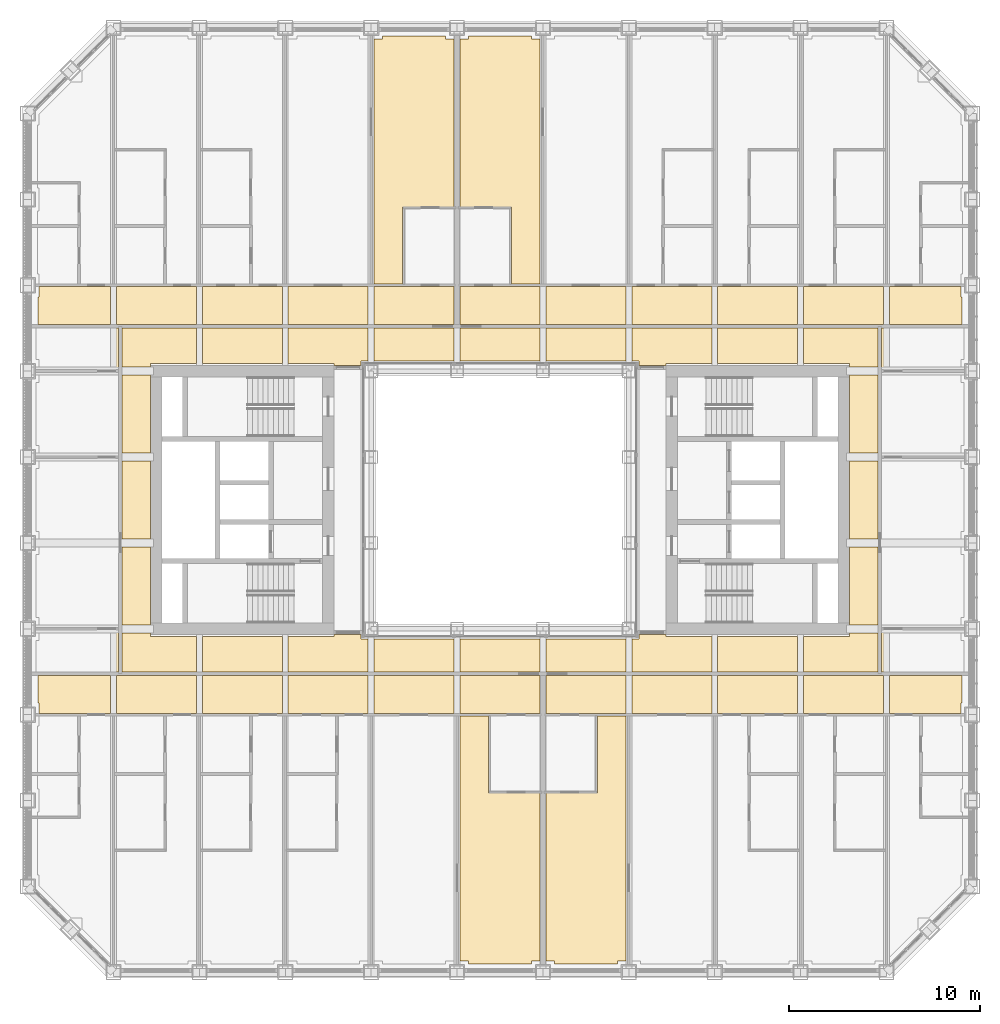
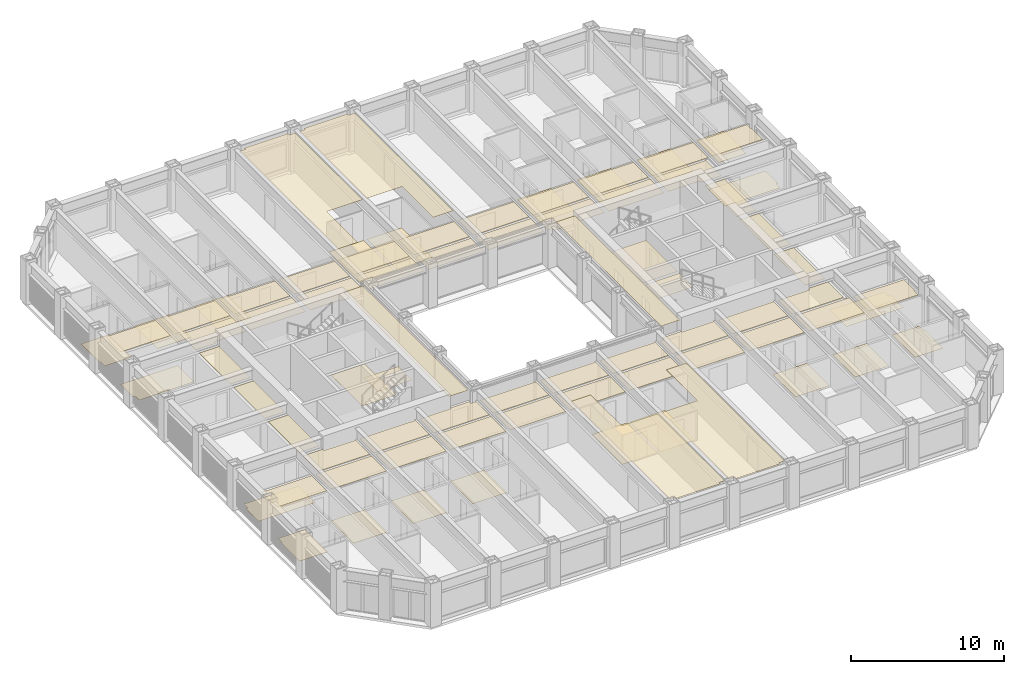
# One storey, part 19 of 21: 4 coverings.
"""IFC4 building model written with IfcOpenShell, lengths in metres."""

from ifc_helpers import new_model, si_unit, direction, frame, origin, place, context, subcontext, project, spatial, line, indexed_curve, outline, extrude, material, layer, layer_set, type_object, element, save


model = new_model("IFC4")

# Units and contexts
model_context = context("Model", 3, precision=1e-05, world=origin(), true_north=direction((0.0, 1.0)))
body_context = subcontext(model_context, "Body", "Model", "MODEL_VIEW")
ifc_project = project(units=[si_unit("LENGTHUNIT", "METRE"), si_unit("AREAUNIT", "SQUARE_METRE"), si_unit("VOLUMEUNIT", "CUBIC_METRE"), si_unit("PLANEANGLEUNIT", "RADIAN"), si_unit("MASSUNIT", "GRAM", prefix="KILO")], contexts=[model_context])

# Site, building, storey
site_placement = place(None, origin())
site = spatial("IfcSite", under=ifc_project, at=site_placement, CompositionType="ELEMENT")
building_placement = place(site_placement, origin())
building = spatial("IfcBuilding", under=site, at=building_placement, Name="Msasa Ring Tower", CompositionType="ELEMENT")
storey_placement = place(building_placement, frame((0.0, 0.0, 79.0)))
storey = spatial("IfcBuildingStorey", under=building, at=storey_placement, Name="L20", CompositionType="ELEMENT", Elevation=79.0)

# Coverings
ifc_material_1 = material(Name="Gypsum plasterboard on a steel suspension grid", Category="steel")
ifc_layer_1 = layer(ifc_material_1, 0.014892578125)
ifc_layer_set_1 = layer_set([ifc_layer_1], Name="C1 SUSPENDED PLASTERBOARD CEILING 15")
covering_type_1 = type_object("IfcCoveringType", Name="C1 SUSPENDED PLASTERBOARD CEILING 15", PredefinedType="CEILING", material=ifc_layer_set_1)
covering_1_placement = place(storey_placement, frame((0.0, 0.0, 2.39990234375)))
element("IfcCovering", 1, at=covering_1_placement, inside=storey, type_object=covering_type_1, Name="Suspended Plasterboard Ceiling 15 circulation L20", PredefinedType="CEILING", context=body_context, shape_type="SweptSolid", body=[
    extrude(outline(indexed_curve([(-24.1494140625, -11.18701171875), (-24.1494140625, -10.6494140625), (-24.199462890625, -10.6494140625), (-24.199462890625, -9.200439453125), (-20.404296875, -9.200439453125), (-20.404296875, -11.18701171875)], segments=[line(1, 2, 3, 4, 5, 6, 1)], self_intersect=False)), origin(), (0.0, 0.0, 1.0), 0.01513671875),
    extrude(outline(indexed_curve([(-24.199462890625, 9.200439453125), (-24.199462890625, 10.6494140625), (-24.1494140625, 10.6494140625), (-24.1494140625, 11.18701171875), (-20.404296875, 11.18701171875), (-20.404296875, 9.200439453125)], segments=[line(1, 2, 3, 4, 5, 6, 1)], self_intersect=False)), origin(), (0.0, 0.0, 1.0), 0.01513671875),
    extrude(outline(indexed_curve([(-20.095703125, -11.18701171875), (-20.095703125, -9.200439453125), (-15.904296875, -9.200439453125), (-15.904296875, -11.18701171875)], segments=[line(1, 2, 3, 4, 1)], self_intersect=False)), origin(), (0.0, 0.0, 1.0), 0.01513671875),
    extrude(outline(indexed_curve([(-20.095703125, 9.200439453125), (-20.095703125, 11.18701171875), (-15.904296875, 11.18701171875), (-15.904296875, 9.200439453125)], segments=[line(1, 2, 3, 4, 1)], self_intersect=False)), origin(), (0.0, 0.0, 1.0), 0.01513671875),
    extrude(outline(indexed_curve([(-19.799560546875, -8.99951171875), (-19.799560546875, -6.960693359375), (-18.300537109375, -6.960693359375), (-18.300537109375, -7.150390625), (-15.904296875, -7.150390625), (-15.904296875, -8.99951171875)], segments=[line(1, 2, 3, 4, 5, 6, 1)], self_intersect=False)), origin(), (0.0, 0.0, 1.0), 0.01513671875),
    extrude(outline(indexed_curve([(-19.799560546875, -2.460693359375), (-18.300537109375, -2.460693359375), (-18.300537109375, -6.539306640625), (-19.799560546875, -6.539306640625)], segments=[line(1, 2, 3, 4, 1)], self_intersect=False)), origin(), (0.0, 0.0, 1.0), 0.01513671875),
    extrude(outline(indexed_curve([(-19.799560546875, 2.039306640625), (-18.300537109375, 2.039306640625), (-18.300537109375, -2.039306640625), (-19.799560546875, -2.039306640625)], segments=[line(1, 2, 3, 4, 1)], self_intersect=False)), origin(), (0.0, 0.0, 1.0), 0.01513671875),
    extrude(outline(indexed_curve([(-19.799560546875, 6.539306640625), (-18.300537109375, 6.539306640625), (-18.300537109375, 2.460693359375), (-19.799560546875, 2.460693359375)], segments=[line(1, 2, 3, 4, 1)], self_intersect=False)), origin(), (0.0, 0.0, 1.0), 0.01513671875),
    extrude(outline(indexed_curve([(-19.799560546875, 8.99951171875), (-15.904296875, 8.99951171875), (-15.904296875, 7.150390625), (-18.300537109375, 7.150390625), (-18.300537109375, 6.960693359375), (-19.799560546875, 6.960693359375)], segments=[line(1, 2, 3, 4, 5, 6, 1)], self_intersect=False)), origin(), (0.0, 0.0, 1.0), 0.01513671875),
    extrude(outline(indexed_curve([(-15.595703125, -11.18701171875), (-15.595703125, -9.200439453125), (-11.404296875, -9.200439453125), (-11.404296875, -11.18701171875)], segments=[line(1, 2, 3, 4, 1)], self_intersect=False)), origin(), (0.0, 0.0, 1.0), 0.01513671875),
    extrude(outline(indexed_curve([(-15.595703125, -8.99951171875), (-15.595703125, -7.150390625), (-11.404296875, -7.150390625), (-11.404296875, -8.99951171875)], segments=[line(1, 2, 3, 4, 1)], self_intersect=False)), origin(), (0.0, 0.0, 1.0), 0.01513671875),
    extrude(outline(indexed_curve([(-11.404296875, 8.99951171875), (-11.404296875, 7.150390625), (-15.595703125, 7.150390625), (-15.595703125, 8.99951171875)], segments=[line(1, 2, 3, 4, 1)], self_intersect=False)), origin(), (0.0, 0.0, 1.0), 0.01513671875),
    extrude(outline(indexed_curve([(-15.595703125, 9.200439453125), (-15.595703125, 11.18701171875), (-11.404296875, 11.18701171875), (-11.404296875, 9.200439453125)], segments=[line(1, 2, 3, 4, 1)], self_intersect=False)), origin(), (0.0, 0.0, 1.0), 0.01513671875),
    extrude(outline(indexed_curve([(-11.87451171875, -3.074462890625), (-11.87451171875, -1.275390625), (-9.300537109375, -1.275390625), (-9.300537109375, -3.074462890625)], segments=[line(1, 2, 3, 4, 1)], self_intersect=False)), origin(), (0.0, 0.0, 1.0), 0.01513671875),
    extrude(outline(indexed_curve([(-11.095703125, -11.18701171875), (-11.095703125, -9.200439453125), (-6.904296875, -9.200439453125), (-6.904296875, -11.18701171875)], segments=[line(1, 2, 3, 4, 1)], self_intersect=False)), origin(), (0.0, 0.0, 1.0), 0.01513671875),
    extrude(outline(indexed_curve([(-11.095703125, -8.99951171875), (-11.095703125, -7.150390625), (-8.699462890625, -7.150390625), (-8.699462890625, -7.050537109375), (-7.280029296875, -7.050537109375), (-7.275390625, -7.275390625), (-6.904296875, -7.280029296875), (-6.904296875, -8.99951171875)], segments=[line(1, 2, 3, 4, 5, 6, 7, 8, 1)], self_intersect=False)), origin(), (0.0, 0.0, 1.0), 0.01513671875),
    extrude(outline(indexed_curve([(-6.904296875, 8.99951171875), (-6.904296875, 7.280029296875), (-7.275390625, 7.275390625), (-7.280029296875, 7.050537109375), (-8.699462890625, 7.050537109375), (-8.699462890625, 7.150390625), (-11.095703125, 7.150390625), (-11.095703125, 8.99951171875)], segments=[line(1, 2, 3, 4, 5, 6, 7, 8, 1)], self_intersect=False)), origin(), (0.0, 0.0, 1.0), 0.01513671875),
    extrude(outline(indexed_curve([(-11.095703125, 9.200439453125), (-11.095703125, 11.18701171875), (-6.904296875, 11.18701171875), (-6.904296875, 9.200439453125)], segments=[line(1, 2, 3, 4, 1)], self_intersect=False)), origin(), (0.0, 0.0, 1.0), 0.01513671875),
    extrude(outline(indexed_curve([(-6.595703125, -11.18701171875), (-6.595703125, -9.200439453125), (-2.404296875, -9.200439453125), (-2.404296875, -11.18701171875)], segments=[line(1, 2, 3, 4, 1)], self_intersect=False)), origin(), (0.0, 0.0, 1.0), 0.01513671875),
    extrude(outline(indexed_curve([(-6.595703125, -8.99951171875), (-6.595703125, -7.280029296875), (-2.404296875, -7.280029296875), (-2.404296875, -8.99951171875)], segments=[line(1, 2, 3, 4, 1)], self_intersect=False)), origin(), (0.0, 0.0, 1.0), 0.01513671875),
    extrude(outline(indexed_curve([(-2.404296875, 8.99951171875), (-2.404296875, 7.280029296875), (-6.595703125, 7.280029296875), (-6.595703125, 8.99951171875)], segments=[line(1, 2, 3, 4, 1)], self_intersect=False)), origin(), (0.0, 0.0, 1.0), 0.01513671875),
    extrude(outline(indexed_curve([(-6.595703125, 9.200439453125), (-6.595703125, 11.18701171875), (-2.404296875, 11.18701171875), (-2.404296875, 9.200439453125)], segments=[line(1, 2, 3, 4, 1)], self_intersect=False)), origin(), (0.0, 0.0, 1.0), 0.01513671875),
    extrude(outline(indexed_curve([(-2.095703125, -11.18701171875), (-2.095703125, -9.200439453125), (2.095703125, -9.200439453125), (2.095703125, -11.18701171875)], segments=[line(1, 2, 3, 4, 1)], self_intersect=False)), origin(), (0.0, 0.0, 1.0), 0.01513671875),
    extrude(outline(indexed_curve([(-2.095703125, -8.99951171875), (-2.095703125, -7.280029296875), (2.095703125, -7.280029296875), (2.095703125, -8.99951171875)], segments=[line(1, 2, 3, 4, 1)], self_intersect=False)), origin(), (0.0, 0.0, 1.0), 0.01513671875),
    extrude(outline(indexed_curve([(2.095703125, 8.99951171875), (2.095703125, 7.280029296875), (-2.095703125, 7.280029296875), (-2.095703125, 8.99951171875)], segments=[line(1, 2, 3, 4, 1)], self_intersect=False)), origin(), (0.0, 0.0, 1.0), 0.01513671875),
    extrude(outline(indexed_curve([(-2.095703125, 9.200439453125), (-2.095703125, 11.18701171875), (2.095703125, 11.18701171875), (2.095703125, 9.200439453125)], segments=[line(1, 2, 3, 4, 1)], self_intersect=False)), origin(), (0.0, 0.0, 1.0), 0.01513671875),
    extrude(outline(indexed_curve([(2.404296875, -11.18701171875), (2.404296875, -9.200439453125), (6.595703125, -9.200439453125), (6.595703125, -11.18701171875)], segments=[line(1, 2, 3, 4, 1)], self_intersect=False)), origin(), (0.0, 0.0, 1.0), 0.01513671875),
    extrude(outline(indexed_curve([(2.404296875, -8.99951171875), (2.404296875, -7.280029296875), (6.595703125, -7.280029296875), (6.595703125, -8.99951171875)], segments=[line(1, 2, 3, 4, 1)], self_intersect=False)), origin(), (0.0, 0.0, 1.0), 0.01513671875),
    extrude(outline(indexed_curve([(6.595703125, 8.99951171875), (6.595703125, 7.280029296875), (2.404296875, 7.280029296875), (2.404296875, 8.99951171875)], segments=[line(1, 2, 3, 4, 1)], self_intersect=False)), origin(), (0.0, 0.0, 1.0), 0.01513671875),
    extrude(outline(indexed_curve([(2.404296875, 9.200439453125), (2.404296875, 11.18701171875), (6.595703125, 11.18701171875), (6.595703125, 9.200439453125)], segments=[line(1, 2, 3, 4, 1)], self_intersect=False)), origin(), (0.0, 0.0, 1.0), 0.01513671875),
    extrude(outline(indexed_curve([(6.904296875, -11.18701171875), (6.904296875, -9.200439453125), (11.095703125, -9.200439453125), (11.095703125, -11.18701171875)], segments=[line(1, 2, 3, 4, 1)], self_intersect=False)), origin(), (0.0, 0.0, 1.0), 0.01513671875),
    extrude(outline(indexed_curve([(6.904296875, -8.99951171875), (6.904296875, -7.280029296875), (7.275390625, -7.275390625), (7.280029296875, -7.050537109375), (8.699462890625, -7.050537109375), (8.699462890625, -7.150390625), (11.095703125, -7.150390625), (11.095703125, -8.99951171875)], segments=[line(1, 2, 3, 4, 5, 6, 7, 8, 1)], self_intersect=False)), origin(), (0.0, 0.0, 1.0), 0.01513671875),
    extrude(outline(indexed_curve([(11.095703125, 8.99951171875), (11.095703125, 7.150390625), (8.699462890625, 7.150390625), (8.699462890625, 7.050537109375), (7.280029296875, 7.050537109375), (7.275390625, 7.275390625), (6.904296875, 7.280029296875), (6.904296875, 8.99951171875)], segments=[line(1, 2, 3, 4, 5, 6, 7, 8, 1)], self_intersect=False)), origin(), (0.0, 0.0, 1.0), 0.01513671875),
    extrude(outline(indexed_curve([(6.904296875, 9.200439453125), (6.904296875, 11.18701171875), (11.095703125, 11.18701171875), (11.095703125, 9.200439453125)], segments=[line(1, 2, 3, 4, 1)], self_intersect=False)), origin(), (0.0, 0.0, 1.0), 0.01513671875),
    extrude(outline(indexed_curve([(9.300537109375, -3.074462890625), (9.300537109375, -1.275390625), (11.87451171875, -1.275390625), (11.87451171875, -3.074462890625)], segments=[line(1, 2, 3, 4, 1)], self_intersect=False)), origin(), (0.0, 0.0, 1.0), 0.01513671875),
    extrude(outline(indexed_curve([(9.300537109375, -1.0244140625), (9.300537109375, 3.074462890625), (11.87451171875, 3.074462890625), (11.87451171875, -1.0244140625)], segments=[line(1, 2, 3, 4, 1)], self_intersect=False)), origin(), (0.0, 0.0, 1.0), 0.01513671875),
    extrude(outline(indexed_curve([(11.404296875, -11.18701171875), (11.404296875, -9.200439453125), (15.595703125, -9.200439453125), (15.595703125, -11.18701171875)], segments=[line(1, 2, 3, 4, 1)], self_intersect=False)), origin(), (0.0, 0.0, 1.0), 0.01513671875),
    extrude(outline(indexed_curve([(11.404296875, -8.99951171875), (11.404296875, -7.150390625), (15.595703125, -7.150390625), (15.595703125, -8.99951171875)], segments=[line(1, 2, 3, 4, 1)], self_intersect=False)), origin(), (0.0, 0.0, 1.0), 0.01513671875),
    extrude(outline(indexed_curve([(15.595703125, 8.99951171875), (15.595703125, 7.150390625), (11.404296875, 7.150390625), (11.404296875, 8.99951171875)], segments=[line(1, 2, 3, 4, 1)], self_intersect=False)), origin(), (0.0, 0.0, 1.0), 0.01513671875),
    extrude(outline(indexed_curve([(11.404296875, 9.200439453125), (11.404296875, 11.18701171875), (15.595703125, 11.18701171875), (15.595703125, 9.200439453125)], segments=[line(1, 2, 3, 4, 1)], self_intersect=False)), origin(), (0.0, 0.0, 1.0), 0.01513671875),
    extrude(outline(indexed_curve([(15.904296875, -11.18701171875), (15.904296875, -9.200439453125), (20.095703125, -9.200439453125), (20.095703125, -11.18701171875)], segments=[line(1, 2, 3, 4, 1)], self_intersect=False)), origin(), (0.0, 0.0, 1.0), 0.01513671875),
    extrude(outline(indexed_curve([(15.904296875, -8.99951171875), (15.904296875, -7.150390625), (18.300537109375, -7.150390625), (18.300537109375, -6.960693359375), (19.799560546875, -6.960693359375), (19.799560546875, -8.99951171875)], segments=[line(1, 2, 3, 4, 5, 6, 1)], self_intersect=False)), origin(), (0.0, 0.0, 1.0), 0.01513671875),
    extrude(outline(indexed_curve([(19.799560546875, 8.99951171875), (19.799560546875, 6.960693359375), (18.300537109375, 6.960693359375), (18.300537109375, 7.150390625), (15.904296875, 7.150390625), (15.904296875, 8.99951171875)], segments=[line(1, 2, 3, 4, 5, 6, 1)], self_intersect=False)), origin(), (0.0, 0.0, 1.0), 0.01513671875),
    extrude(outline(indexed_curve([(15.904296875, 9.200439453125), (15.904296875, 11.18701171875), (20.095703125, 11.18701171875), (20.095703125, 9.200439453125)], segments=[line(1, 2, 3, 4, 1)], self_intersect=False)), origin(), (0.0, 0.0, 1.0), 0.01513671875),
    extrude(outline(indexed_curve([(19.799560546875, -6.539306640625), (18.300537109375, -6.539306640625), (18.300537109375, -2.460693359375), (19.799560546875, -2.460693359375)], segments=[line(1, 2, 3, 4, 1)], self_intersect=False)), origin(), (0.0, 0.0, 1.0), 0.01513671875),
    extrude(outline(indexed_curve([(19.799560546875, -2.039306640625), (18.300537109375, -2.039306640625), (18.300537109375, 2.039306640625), (19.799560546875, 2.039306640625)], segments=[line(1, 2, 3, 4, 1)], self_intersect=False)), origin(), (0.0, 0.0, 1.0), 0.01513671875),
    extrude(outline(indexed_curve([(19.799560546875, 2.460693359375), (18.300537109375, 2.460693359375), (18.300537109375, 6.539306640625), (19.799560546875, 6.539306640625)], segments=[line(1, 2, 3, 4, 1)], self_intersect=False)), origin(), (0.0, 0.0, 1.0), 0.01513671875),
    extrude(outline(indexed_curve([(20.404296875, -11.18701171875), (20.404296875, -9.200439453125), (24.199462890625, -9.200439453125), (24.199462890625, -10.6494140625), (24.1494140625, -10.6494140625), (24.1494140625, -11.18701171875)], segments=[line(1, 2, 3, 4, 5, 6, 1)], self_intersect=False)), origin(), (0.0, 0.0, 1.0), 0.01513671875),
    extrude(outline(indexed_curve([(20.404296875, 9.200439453125), (20.404296875, 11.18701171875), (24.1494140625, 11.18701171875), (24.1494140625, 10.6494140625), (24.199462890625, 10.6494140625), (24.199462890625, 9.200439453125)], segments=[line(1, 2, 3, 4, 5, 6, 1)], self_intersect=False)), origin(), (0.0, 0.0, 1.0), 0.01513671875),
])
covering_2_placement = place(storey_placement, frame((0.0, 0.0, 3.175048828125)))
element("IfcCovering", 2, at=covering_2_placement, inside=storey, type_object=covering_type_1, Name="Suspended Plasterboard Ceiling 15 public rooms L20", PredefinedType="CEILING", context=body_context, shape_type="SweptSolid", body=[
    extrude(outline(indexed_curve([(-8.699462890625, -6.849609375), (-8.699462890625, 6.849609375), (-7.280029296875, 6.849609375), (-7.280029296875, -6.849609375)], segments=[line(1, 2, 3, 4, 1)], self_intersect=False)), origin(), (0.0, 0.0, 1.0), 0.014892578125),
    extrude(outline(indexed_curve([(-5.1005859375, 11.31298828125), (-6.595703125, 11.31298828125), (-6.595703125, 24.1494140625), (-6.1494140625, 24.1494140625), (-6.1494140625, 24.299560546875), (-2.8505859375, 24.299560546875), (-2.8505859375, 24.1494140625), (-2.404296875, 24.1494140625), (-2.404296875, 15.363037109375), (-5.1005859375, 15.363037109375)], segments=[line(1, 2, 3, 4, 5, 6, 7, 8, 9, 10, 1)], self_intersect=False)), origin(), (0.0, 0.0, 1.0), 0.014892578125),
    extrude(outline(indexed_curve([(2.095703125, -15.363037109375), (2.095703125, -24.1494140625), (1.6494140625, -24.1494140625), (1.6494140625, -24.299560546875), (-1.6494140625, -24.299560546875), (-1.6494140625, -24.1494140625), (-2.095703125, -24.1494140625), (-2.095703125, -11.31298828125), (-0.6005859375, -11.31298828125), (-0.6005859375, -15.363037109375)], segments=[line(1, 2, 3, 4, 5, 6, 7, 8, 9, 10, 1)], self_intersect=False)), origin(), (0.0, 0.0, 1.0), 0.014892578125),
    extrude(outline(indexed_curve([(1.6494140625, 24.299560546875), (1.6494140625, 24.1494140625), (2.095703125, 24.1494140625), (2.095703125, 11.31298828125), (0.6005859375, 11.31298828125), (0.6005859375, 15.363037109375), (-2.095703125, 15.363037109375), (-2.095703125, 24.1494140625), (-1.6494140625, 24.1494140625), (-1.6494140625, 24.299560546875)], segments=[line(1, 2, 3, 4, 5, 6, 7, 8, 9, 10, 1)], self_intersect=False)), origin(), (0.0, 0.0, 1.0), 0.014892578125),
    extrude(outline(indexed_curve([(5.1005859375, -11.31298828125), (6.595703125, -11.31298828125), (6.595703125, -24.1494140625), (6.1494140625, -24.1494140625), (6.1494140625, -24.299560546875), (2.8505859375, -24.299560546875), (2.8505859375, -24.1494140625), (2.404296875, -24.1494140625), (2.404296875, -15.363037109375), (5.1005859375, -15.363037109375)], segments=[line(1, 2, 3, 4, 5, 6, 7, 8, 9, 10, 1)], self_intersect=False)), origin(), (0.0, 0.0, 1.0), 0.014892578125),
    extrude(outline(indexed_curve([(8.699462890625, -6.849609375), (7.280029296875, -6.849609375), (7.280029296875, 6.849609375), (8.699462890625, 6.849609375)], segments=[line(1, 2, 3, 4, 1)], self_intersect=False)), origin(), (0.0, 0.0, 1.0), 0.014892578125),
])
ifc_material_2 = material(Name="Porcelain floor tiles in adhesive", Category="ceramic")
ifc_layer_2 = layer(ifc_material_2, 0.010009765625)
ifc_layer_set_2 = layer_set([ifc_layer_2], Name="F4 PORCELAIN TILE ON ADHESIVE 10")
covering_type_2 = type_object("IfcCoveringType", Name="F4 PORCELAIN TILE ON ADHESIVE 10", PredefinedType="FLOORING", material=ifc_layer_set_2)
covering_3_placement = place(storey_placement, origin())
element("IfcCovering", 3, at=covering_3_placement, inside=storey, type_object=covering_type_2, Name="Porcelain Tile On Adhesive 10 L20", PredefinedType="FLOORING", context=body_context, shape_type="SweptSolid", body=[
    extrude(outline(indexed_curve([(-24.1494140625, 6.83056640625), (-24.1494140625, 7.3505859375), (-24.299560546875, 7.3505859375), (-24.299560546875, 8.99951171875), (-20.00048828125, 8.99951171875), (-20.00048828125, 6.83056640625)], segments=[line(1, 2, 3, 4, 5, 6, 1)], self_intersect=False)), origin(), (0.0, 0.0, 1.0), 0.010009765625),
    extrude(outline(indexed_curve([(-22.12548828125, -11.31298828125), (-22.12548828125, -14.2744140625), (-24.239501953125, -14.2744140625), (-24.239501953125, -11.8505859375), (-24.1494140625, -11.8505859375), (-24.1494140625, -11.31298828125)], segments=[line(1, 2, 3, 4, 5, 6, 1)], self_intersect=False)), origin(), (0.0, 0.0, 1.0), 0.010009765625),
    extrude(outline(indexed_curve([(-24.1494140625, 11.31298828125), (-24.1494140625, 11.8505859375), (-24.239501953125, 11.8505859375), (-24.239501953125, 14.2744140625), (-22.12548828125, 14.2744140625), (-22.12548828125, 11.31298828125)], segments=[line(1, 2, 3, 4, 5, 6, 1)], self_intersect=False)), origin(), (0.0, 0.0, 1.0), 0.010009765625),
    extrude(outline(indexed_curve([(-17.62548828125, -11.31298828125), (-17.62548828125, -14.2744140625), (-20.18701171875, -14.2744140625), (-20.18701171875, -11.31298828125)], segments=[line(1, 2, 3, 4, 1)], self_intersect=False)), origin(), (0.0, 0.0, 1.0), 0.010009765625),
    extrude(outline(indexed_curve([(-20.18701171875, 11.31298828125), (-20.18701171875, 14.2744140625), (-17.62548828125, 14.2744140625), (-17.62548828125, 11.31298828125)], segments=[line(1, 2, 3, 4, 1)], self_intersect=False)), origin(), (0.0, 0.0, 1.0), 0.010009765625),
    extrude(outline(indexed_curve([(-13.12548828125, -11.31298828125), (-13.12548828125, -14.2744140625), (-15.68701171875, -14.2744140625), (-15.68701171875, -11.31298828125)], segments=[line(1, 2, 3, 4, 1)], self_intersect=False)), origin(), (0.0, 0.0, 1.0), 0.010009765625),
    extrude(outline(indexed_curve([(-15.68701171875, 11.31298828125), (-15.68701171875, 14.2744140625), (-13.12548828125, 14.2744140625), (-13.12548828125, 11.31298828125)], segments=[line(1, 2, 3, 4, 1)], self_intersect=False)), origin(), (0.0, 0.0, 1.0), 0.010009765625),
    extrude(outline(indexed_curve([(-8.62548828125, -11.31298828125), (-8.62548828125, -14.2744140625), (-11.18701171875, -14.2744140625), (-11.18701171875, -11.31298828125)], segments=[line(1, 2, 3, 4, 1)], self_intersect=False)), origin(), (0.0, 0.0, 1.0), 0.010009765625),
    extrude(outline(indexed_curve([(8.62548828125, 11.31298828125), (8.62548828125, 14.2744140625), (11.18701171875, 14.2744140625), (11.18701171875, 11.31298828125)], segments=[line(1, 2, 3, 4, 1)], self_intersect=False)), origin(), (0.0, 0.0, 1.0), 0.010009765625),
    extrude(outline(indexed_curve([(15.68701171875, -11.31298828125), (15.68701171875, -14.2744140625), (13.12548828125, -14.2744140625), (13.12548828125, -11.31298828125)], segments=[line(1, 2, 3, 4, 1)], self_intersect=False)), origin(), (0.0, 0.0, 1.0), 0.010009765625),
    extrude(outline(indexed_curve([(13.12548828125, 11.31298828125), (13.12548828125, 14.2744140625), (15.68701171875, 14.2744140625), (15.68701171875, 11.31298828125)], segments=[line(1, 2, 3, 4, 1)], self_intersect=False)), origin(), (0.0, 0.0, 1.0), 0.010009765625),
    extrude(outline(indexed_curve([(20.18701171875, -11.31298828125), (20.18701171875, -14.2744140625), (17.62548828125, -14.2744140625), (17.62548828125, -11.31298828125)], segments=[line(1, 2, 3, 4, 1)], self_intersect=False)), origin(), (0.0, 0.0, 1.0), 0.010009765625),
    extrude(outline(indexed_curve([(17.62548828125, 11.31298828125), (17.62548828125, 14.2744140625), (20.18701171875, 14.2744140625), (20.18701171875, 11.31298828125)], segments=[line(1, 2, 3, 4, 1)], self_intersect=False)), origin(), (0.0, 0.0, 1.0), 0.010009765625),
    extrude(outline(indexed_curve([(20.00048828125, 8.99951171875), (24.299560546875, 8.99951171875), (24.299560546875, 7.3505859375), (24.1494140625, 7.3505859375), (24.1494140625, 6.83056640625), (20.00048828125, 6.83056640625)], segments=[line(1, 2, 3, 4, 5, 6, 1)], self_intersect=False)), origin(), (0.0, 0.0, 1.0), 0.010009765625),
    extrude(outline(indexed_curve([(24.1494140625, -11.31298828125), (24.1494140625, -11.8505859375), (24.239501953125, -11.8505859375), (24.239501953125, -14.2744140625), (22.12548828125, -14.2744140625), (22.12548828125, -11.31298828125)], segments=[line(1, 2, 3, 4, 5, 6, 1)], self_intersect=False)), origin(), (0.0, 0.0, 1.0), 0.010009765625),
    extrude(outline(indexed_curve([(24.239501953125, 11.8505859375), (24.1494140625, 11.8505859375), (24.1494140625, 11.31298828125), (22.12548828125, 11.31298828125), (22.12548828125, 14.2744140625), (24.239501953125, 14.2744140625)], segments=[line(1, 2, 3, 4, 5, 6, 1)], self_intersect=False)), origin(), (0.0, 0.0, 1.0), 0.010009765625),
])
ifc_material_3 = material(Name="Welded vinyl safety sheet flooring", Category="vinyl")
ifc_layer_3 = layer(ifc_material_3, 0.0029296875)
ifc_layer_set_3 = layer_set([ifc_layer_3], Name="F5 RESILIENT SHEET FLOORING 3")
covering_type_3 = type_object("IfcCoveringType", Name="F5 RESILIENT SHEET FLOORING 3", PredefinedType="FLOORING", material=ifc_layer_set_3)
covering_4_placement = place(storey_placement, origin())
element("IfcCovering", 4, at=covering_4_placement, inside=storey, type_object=covering_type_3, Name="Resilient Sheet Flooring 3 L20", PredefinedType="FLOORING", context=body_context, shape_type="SweptSolid", body=[
    extrude(outline(indexed_curve([(-20.00048828125, -8.99951171875), (-24.299560546875, -8.99951171875), (-24.299560546875, -7.3505859375), (-24.1494140625, -7.3505859375), (-24.1494140625, -6.805419921875), (-20.00048828125, -6.805419921875)], segments=[line(1, 2, 3, 4, 5, 6, 1)], self_intersect=False)), origin(), (0.0, 0.0, 1.0), 0.0029296875),
    extrude(outline(indexed_curve([(-11.87451171875, 3.074462890625), (-9.300537109375, 3.074462890625), (-9.300537109375, -1.0244140625), (-11.87451171875, -1.0244140625)], segments=[line(1, 2, 3, 4, 1)], self_intersect=False)), origin(), (0.0, 0.0, 1.0), 0.0029296875),
    extrude(outline(indexed_curve([(-2.37548828125, 15.261962890625), (-2.37548828125, 11.31298828125), (-4.99951171875, 11.31298828125), (-4.99951171875, 15.261962890625)], segments=[line(1, 2, 3, 4, 1)], self_intersect=False)), origin(), (0.0, 0.0, 1.0), 0.0029296875),
    extrude(outline(indexed_curve([(0.49951171875, 15.261962890625), (0.49951171875, 11.31298828125), (-2.12451171875, 11.31298828125), (-2.12451171875, 15.261962890625)], segments=[line(1, 2, 3, 4, 1)], self_intersect=False)), origin(), (0.0, 0.0, 1.0), 0.0029296875),
    extrude(outline(indexed_curve([(-0.49951171875, -15.261962890625), (-0.49951171875, -11.31298828125), (2.12451171875, -11.31298828125), (2.12451171875, -15.261962890625)], segments=[line(1, 2, 3, 4, 1)], self_intersect=False)), origin(), (0.0, 0.0, 1.0), 0.0029296875),
    extrude(outline(indexed_curve([(4.99951171875, -11.31298828125), (4.99951171875, -15.261962890625), (2.37548828125, -15.261962890625), (2.37548828125, -11.31298828125)], segments=[line(1, 2, 3, 4, 1)], self_intersect=False)), origin(), (0.0, 0.0, 1.0), 0.0029296875),
    extrude(outline(indexed_curve([(20.00048828125, -8.99951171875), (20.00048828125, -6.805419921875), (24.1494140625, -6.805419921875), (24.1494140625, -7.3505859375), (24.299560546875, -7.3505859375), (24.299560546875, -8.99951171875)], segments=[line(1, 2, 3, 4, 5, 6, 1)], self_intersect=False)), origin(), (0.0, 0.0, 1.0), 0.0029296875),
])

save(model, "model.ifc")
